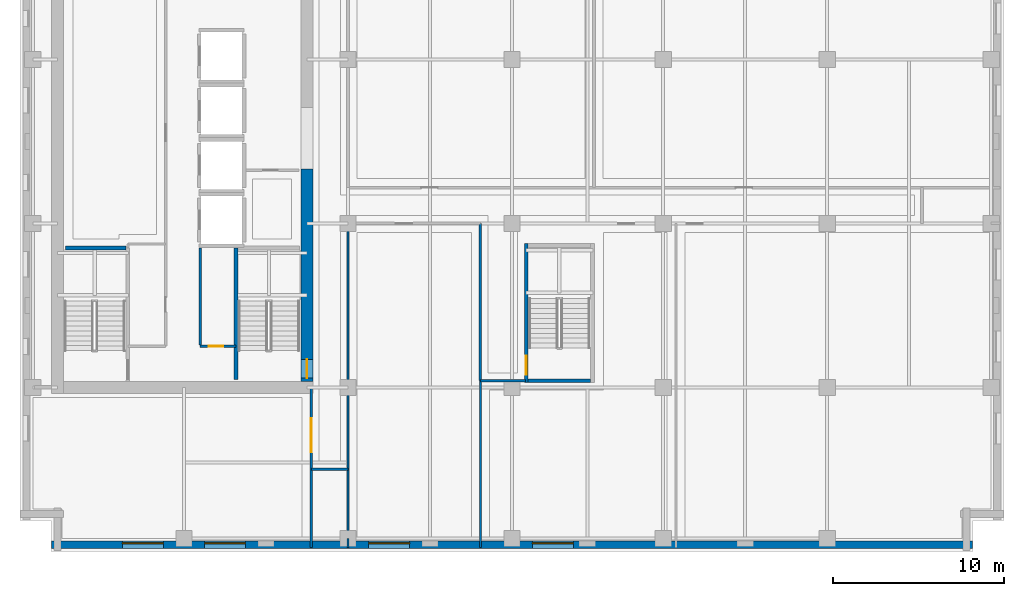
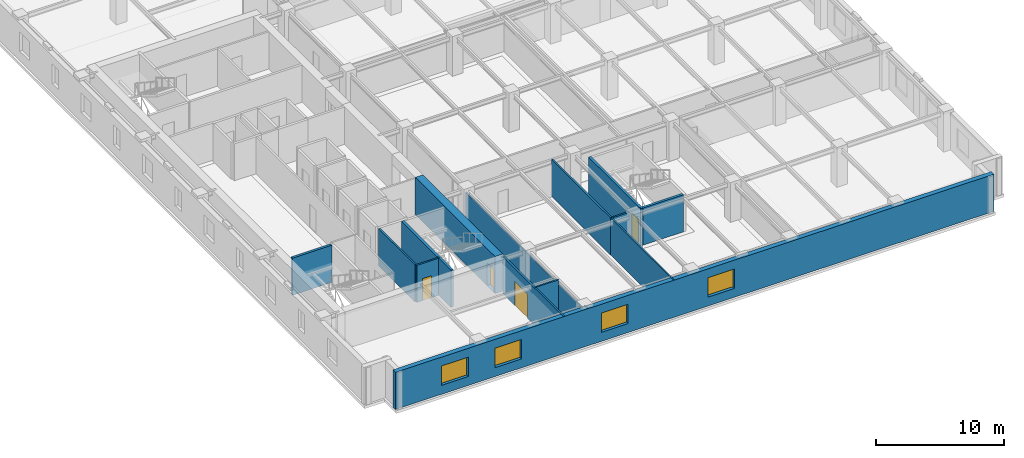
# One storey, part 4 of 13: 15 walls, 4 doors, 4 windows, 8 openings.
"""IFC4 building model written with IfcOpenShell, lengths in metres."""

from ifc_helpers import new_model, si_unit, direction, frame, frame_2d, origin, place, context, subcontext, project, spatial, rectangle, extrude, material, layer, layer_set, type_object, element, fill, save


model = new_model("IFC4")

# Units and contexts
model_context = context("Model", 3, precision=1e-05, world=origin(), true_north=direction((0.0, 1.0)))
body_context = subcontext(model_context, "Body", "Model", "MODEL_VIEW")
ifc_project = project(units=[si_unit("LENGTHUNIT", "METRE"), si_unit("AREAUNIT", "SQUARE_METRE"), si_unit("VOLUMEUNIT", "CUBIC_METRE"), si_unit("PLANEANGLEUNIT", "RADIAN"), si_unit("MASSUNIT", "GRAM", prefix="KILO")], contexts=[model_context])

# Site, building, storey
site_placement = place(None, origin())
site = spatial("IfcSite", under=ifc_project, at=site_placement, CompositionType="ELEMENT")
building_placement = place(site_placement, origin())
building = spatial("IfcBuilding", under=site, at=building_placement, Name="Norrvale University Quadrangle", CompositionType="ELEMENT")
storey_placement = place(building_placement, frame((0.0, 0.0, 163.60009765625)))
storey = spatial("IfcBuildingStorey", under=building, at=storey_placement, Name="L41", CompositionType="ELEMENT", Elevation=163.60009765625)

# Wall, openings, windows
ifc_material_1 = material(Name="Buff Norman Clay Brick Masonry", Category="masonry")
ifc_layer_1 = layer(ifc_material_1, 0.419921875, Name="Buff Norman Clay Brick Masonry")
ifc_layer_set_1 = layer_set([ifc_layer_1], Name="Buff Norman Clay Brick Masonry")
wall_type_1 = type_object("IfcWallType", Name="Wall Buff Brick 420", PredefinedType="SOLIDWALL", material=ifc_layer_set_1)
wall_1_placement = place(storey_placement, frame((1.840087890625, 0.389892578125, 0.0), z_axis=(0.0, 0.0, 1.0), x_axis=(1.0, 0.0, 0.0)))
wall_1 = element("IfcWall", 1, at=wall_1_placement, inside=storey, type_object=wall_type_1, Name="Exterior Brick Facade Wall L41-01.1", PredefinedType="SOLIDWALL", context=body_context, shape_type="SweptSolid", body=[
    extrude(rectangle(XDim=53.919921875, YDim=0.419921875, at=frame_2d((26.9599609375, 0.0))), origin(), (0.0, 0.0, 1.0), 3.539794921875),
])
opening_1_placement = place(wall_1_placement, frame((4.159912109375, 0.0, 0.85009765625)))
opening_1 = element("IfcOpeningElement", 2, at=opening_1_placement, cuts=wall_1, Name="Opening W02", PredefinedType="OPENING", context=body_context, shape_type="SweptSolid", body=[
    extrude(rectangle(XDim=2.39990234375, YDim=1.85009765625, at=frame_2d((1.199951171875, 0.925048828125))), frame((0.0, 0.221923828125, 0.0), z_axis=(0.0, -1.0, 0.0), x_axis=(1.0, 0.0, 0.0)), (0.0, 0.0, 1.0), 0.44384765625),
])
opening_2_placement = place(wall_1_placement, frame((8.9599609375, 0.0, 0.85009765625)))
opening_2 = element("IfcOpeningElement", 3, at=opening_2_placement, cuts=wall_1, Name="Opening W02", PredefinedType="OPENING", context=body_context, shape_type="SweptSolid", body=[
    extrude(rectangle(XDim=2.39990234375, YDim=1.85009765625, at=frame_2d((1.199951171875, 0.925048828125))), frame((0.0, 0.221923828125, 0.0), z_axis=(0.0, -1.0, 0.0), x_axis=(1.0, 0.0, 0.0)), (0.0, 0.0, 1.0), 0.44384765625),
])
opening_3_placement = place(wall_1_placement, frame((18.56005859375, 0.0, 0.85009765625)))
opening_3 = element("IfcOpeningElement", 4, at=opening_3_placement, cuts=wall_1, Name="Opening W02", PredefinedType="OPENING", context=body_context, shape_type="SweptSolid", body=[
    extrude(rectangle(XDim=2.39990234375, YDim=1.85009765625, at=frame_2d((1.199951171875, 0.925048828125))), frame((0.0, 0.221923828125, 0.0), z_axis=(0.0, -1.0, 0.0), x_axis=(1.0, 0.0, 0.0)), (0.0, 0.0, 1.0), 0.44384765625),
])
opening_4_placement = place(wall_1_placement, frame((28.159912109375, 0.0, 0.85009765625)))
opening_4 = element("IfcOpeningElement", 5, at=opening_4_placement, cuts=wall_1, Name="Opening W02", PredefinedType="OPENING", context=body_context, shape_type="SweptSolid", body=[
    extrude(rectangle(XDim=2.39990234375, YDim=1.85009765625, at=frame_2d((1.199951171875, 0.925048828125))), frame((0.0, 0.221923828125, 0.0), z_axis=(0.0, -1.0, 0.0), x_axis=(1.0, 0.0, 0.0)), (0.0, 0.0, 1.0), 0.44384765625),
])
ifc_material_2 = material(Name="Triple Low-E Argon Glazing", Category="glass")
window_type = type_object("IfcWindowType", Name="Window Academic 2400x2300", PartitioningType="TRIPLE_PANEL_VERTICAL", PredefinedType="WINDOW", material=ifc_material_2)
window_1_placement = place(opening_1_placement, origin())
window_1 = element("IfcWindow", 6, at=window_1_placement, inside=storey, type_object=window_type, Name="Window Academic 2400x2300 WIN-L41-E01-1-01", OverallHeight=1.85009765625, OverallWidth=2.39990234375, PartitioningType="TRIPLE_PANEL_VERTICAL", PredefinedType="WINDOW", context=body_context, shape_type="SweptSolid", body=[
    extrude(rectangle(XDim=2.39990234375, YDim=1.85009765625, at=frame_2d((1.199951171875, 0.925048828125))), frame((0.0, 0.110107421875, 0.0), z_axis=(0.0, -1.0, 0.0), x_axis=(1.0, 0.0, 0.0)), (0.0, 0.0, 1.0), 0.06005859375),
])
fill(opening_1, window_1)
window_2_placement = place(opening_2_placement, origin())
window_2 = element("IfcWindow", 7, at=window_2_placement, inside=storey, type_object=window_type, Name="Window Academic 2400x2300 WIN-L41-E01-1-02", OverallHeight=1.85009765625, OverallWidth=2.39990234375, PartitioningType="TRIPLE_PANEL_VERTICAL", PredefinedType="WINDOW", context=body_context, shape_type="SweptSolid", body=[
    extrude(rectangle(XDim=2.39990234375, YDim=1.85009765625, at=frame_2d((1.199951171875, 0.925048828125))), frame((0.0, 0.110107421875, 0.0), z_axis=(0.0, -1.0, 0.0), x_axis=(1.0, 0.0, 0.0)), (0.0, 0.0, 1.0), 0.06005859375),
])
fill(opening_2, window_2)
window_3_placement = place(opening_3_placement, origin())
window_3 = element("IfcWindow", 8, at=window_3_placement, inside=storey, type_object=window_type, Name="Window Academic 2400x2300 WIN-L41-E01-1-03", OverallHeight=1.85009765625, OverallWidth=2.39990234375, PartitioningType="TRIPLE_PANEL_VERTICAL", PredefinedType="WINDOW", context=body_context, shape_type="SweptSolid", body=[
    extrude(rectangle(XDim=2.39990234375, YDim=1.85009765625, at=frame_2d((1.199951171875, 0.925048828125))), frame((0.0, 0.110107421875, 0.0), z_axis=(0.0, -1.0, 0.0), x_axis=(1.0, 0.0, 0.0)), (0.0, 0.0, 1.0), 0.06005859375),
])
fill(opening_3, window_3)
window_4_placement = place(opening_4_placement, origin())
window_4 = element("IfcWindow", 9, at=window_4_placement, inside=storey, type_object=window_type, Name="Window Academic 2400x2300 WIN-L41-E01-1-04", OverallHeight=1.85009765625, OverallWidth=2.39990234375, PartitioningType="TRIPLE_PANEL_VERTICAL", PredefinedType="WINDOW", context=body_context, shape_type="SweptSolid", body=[
    extrude(rectangle(XDim=2.39990234375, YDim=1.85009765625, at=frame_2d((1.199951171875, 0.925048828125))), frame((0.0, 0.110107421875, 0.0), z_axis=(0.0, -1.0, 0.0), x_axis=(1.0, 0.0, 0.0)), (0.0, 0.0, 1.0), 0.06005859375),
])
fill(opening_4, window_4)

# Wall, opening, door
ifc_material_3 = material(Name="Concrete C60/75", Category="concrete")
ifc_layer_2 = layer(ifc_material_3, 0.699951171875, Name="Concrete C60/75")
ifc_layer_set_2 = layer_set([ifc_layer_2], Name="Concrete C60/75")
wall_type_2 = type_object("IfcWallType", Name="Wall Core 700", PredefinedType="SHEAR", material=ifc_layer_set_2)
wall_2_placement = place(storey_placement, frame((16.800048828125, 9.949951171875, 0.0), z_axis=(0.0, 0.0, 1.0), x_axis=(0.0, 1.0, 0.0)))
wall_2 = element("IfcWall", 10, at=wall_2_placement, inside=storey, type_object=wall_type_2, Name="Tower Core Shear Wall L41-E1", PredefinedType="SHEAR", context=body_context, shape_type="SweptSolid", body=[
    extrude(rectangle(XDim=12.449951171875, YDim=0.699951171875, at=frame_2d((6.22509765625, 0.0))), origin(), (0.0, 0.0, 1.0), 3.539794921875),
])
opening_5_placement = place(wall_2_placement, frame((0.18994140625, 0.0, 0.0)))
opening_5 = element("IfcOpeningElement", 11, at=opening_5_placement, cuts=wall_2, Name="Opening D02", PredefinedType="OPENING", context=body_context, shape_type="SweptSolid", body=[
    extrude(rectangle(XDim=1.10009765625, YDim=2.199951171875, at=frame_2d((0.550048828125, 1.10009765625))), frame((0.0, 0.362060546875, 0.0), z_axis=(0.0, -1.0, 0.0), x_axis=(1.0, 0.0, 0.0)), (0.0, 0.0, 1.0), 0.723876953125),
])
ifc_material_4 = material(Name="Hollow Steel 350W Fire Door", Category="steel")
door_type_1 = type_object("IfcDoorType", Name="Door Stair Exit 1100x2200", OperationType="NOTDEFINED", PredefinedType="DOOR", material=ifc_material_4)
door_1_placement = place(opening_5_placement, origin())
door_1 = element("IfcDoor", 12, at=door_1_placement, inside=storey, type_object=door_type_1, Name="Door Stair Exit 1100x2200 DR-L41-ST03", OperationType="SINGLE_SWING_LEFT", OverallHeight=2.199951171875, OverallWidth=1.10009765625, PredefinedType="DOOR", context=body_context, shape_type="SweptSolid", body=[
    extrude(rectangle(XDim=1.10009765625, YDim=2.199951171875, at=frame_2d((0.550048828125, 1.10009765625))), frame((0.0, 0.02490234375, 0.0), z_axis=(0.0, -1.0, 0.0), x_axis=(1.0, 0.0, 0.0)), (0.0, 0.0, 1.0), 0.050048828125),
])
fill(opening_5, door_1)

# Walls
ifc_material_5 = material(Name="Standard Academic Gypsum Partition")
ifc_layer_3 = layer(ifc_material_5, 0.125, Name="Standard Academic Gypsum Partition")
ifc_layer_set_3 = layer_set([ifc_layer_3], Name="Standard Academic Gypsum Partition")
wall_type_3 = type_object("IfcWallType", Name="Wall Gypsum Academic 125", PredefinedType="PARTITIONING", material=ifc_layer_set_3)
wall_3_placement = place(storey_placement, frame((19.199951171875, 0.219970703125, 0.0), z_axis=(0.0, 0.0, 1.0), x_axis=(0.0, 1.0, 0.0)))
element("IfcWall", 13, at=wall_3_placement, inside=storey, type_object=wall_type_3, Name="Interior Partition WL-L41-SE-W0", PredefinedType="PARTITIONING", context=body_context, shape_type="SweptSolid", body=[
    extrude(rectangle(XDim=0.530029296875, YDim=0.125, at=frame_2d((0.26513671875, 0.0))), origin(), (0.0, 0.0, 1.0), 3.539794921875),
])
wall_4_placement = place(storey_placement, frame((19.199951171875, 0.75, 0.0), z_axis=(0.0, 0.0, 1.0), x_axis=(0.0, 1.0, 0.0)))
element("IfcWall", 14, at=wall_4_placement, inside=storey, type_object=wall_type_3, Name="Interior Partition WL-L41-SE-W0-B2", PredefinedType="PARTITIONING", context=body_context, shape_type="SweptSolid", body=[
    extrude(rectangle(XDim=18.449951171875, YDim=0.125, at=frame_2d((9.22509765625, 0.0))), origin(), (0.0, 0.0, 1.0), 3.122802734375),
])
wall_5_placement = place(storey_placement, frame((26.949951171875, 0.219970703125, 0.0), z_axis=(0.0, 0.0, 1.0), x_axis=(0.0, 1.0, 0.0)))
element("IfcWall", 15, at=wall_5_placement, inside=storey, type_object=wall_type_3, Name="Interior Partition WL-L41-SEP1A", PredefinedType="PARTITIONING", context=body_context, shape_type="SweptSolid", body=[
    extrude(rectangle(XDim=9.780029296875, YDim=0.125, at=frame_2d((4.89013671875, 0.0))), origin(), (0.0, 0.0, 1.0), 3.539794921875),
])

# Wall, opening, door
ifc_material_6 = material(Name="Fire-Rated Gypsum Stud Partition")
ifc_layer_4 = layer(ifc_material_6, 0.14990234375, Name="Fire-Rated Gypsum Stud Partition")
ifc_layer_set_4 = layer_set([ifc_layer_4], Name="Fire-Rated Gypsum Stud Partition")
wall_type_4 = type_object("IfcWallType", Name="Wall Gypsum Corridor 150", PredefinedType="PARTITIONING", material=ifc_layer_set_4)
wall_6_placement = place(storey_placement, frame((10.550048828125, 12.02001953125, 0.0), z_axis=(0.0, 0.0, 1.0), x_axis=(1.0, 0.0, 0.0)))
wall_6 = element("IfcWall", 16, at=wall_6_placement, inside=storey, type_object=wall_type_4, Name="Interior Partition WL-L41-SC-NR", PredefinedType="PARTITIONING", context=body_context, shape_type="SweptSolid", body=[
    extrude(rectangle(XDim=2.079833984375, YDim=0.14990234375, at=frame_2d((1.0400390625, 0.0))), origin(), (0.0, 0.0, 1.0), 3.539794921875),
])
opening_6_placement = place(wall_6_placement, frame((0.5, 0.0, 0.0)))
opening_6 = element("IfcOpeningElement", 17, at=opening_6_placement, cuts=wall_6, Name="Opening D10", PredefinedType="OPENING", context=body_context, shape_type="SweptSolid", body=[
    extrude(rectangle(XDim=0.85009765625, YDim=2.10009765625, at=frame_2d((0.425048828125, 1.050048828125))), frame((0.0, 0.0869140625, 0.0), z_axis=(0.0, -1.0, 0.0), x_axis=(1.0, 0.0, 0.0)), (0.0, 0.0, 1.0), 0.173828125),
])
ifc_material_7 = material(Name="Hollow Steel 350W Riser Fire Door", Category="steel")
door_type_2 = type_object("IfcDoorType", Name="Door Riser 850x2100", OperationType="NOTDEFINED", PredefinedType="DOOR", material=ifc_material_7)
door_2_placement = place(opening_6_placement, origin())
door_2 = element("IfcDoor", 18, at=door_2_placement, inside=storey, type_object=door_type_2, Name="Door Riser 850x2100 DR-L41-IDF", OperationType="SINGLE_SWING_RIGHT", OverallHeight=2.10009765625, OverallWidth=0.85009765625, PredefinedType="DOOR", context=body_context, shape_type="SweptSolid", body=[
    extrude(rectangle(XDim=0.85009765625, YDim=2.10009765625, at=frame_2d((0.425048828125, 1.050048828125))), frame((0.0, 0.02490234375, 0.0), z_axis=(0.0, -1.0, 0.0), x_axis=(1.0, 0.0, 0.0)), (0.0, 0.0, 1.0), 0.050048828125),
])
fill(opening_6, door_2)

# Walls
wall_7_placement = place(storey_placement, frame((10.550048828125, 12.094970703125, 0.0), z_axis=(0.0, 0.0, 1.0), x_axis=(0.0, 1.0, 0.0)))
element("IfcWall", 19, at=wall_7_placement, inside=storey, type_object=wall_type_4, Name="Interior Partition WL-L41-SC-WR", PredefinedType="PARTITIONING", context=body_context, shape_type="SweptSolid", body=[
    extrude(rectangle(XDim=5.679931640625, YDim=0.14990234375, at=frame_2d((2.83984375, 0.0))), origin(), (0.0, 0.0, 1.0), 3.539794921875),
])
wall_8_placement = place(storey_placement, frame((17.050048828125, 4.800048828125, 0.0), z_axis=(0.0, 0.0, 1.0), x_axis=(1.0, 0.0, 0.0)))
element("IfcWall", 20, at=wall_8_placement, inside=storey, type_object=wall_type_4, Name="Interior Partition WL-L41-CSP-S", PredefinedType="PARTITIONING", context=body_context, shape_type="SweptSolid", body=[
    extrude(rectangle(XDim=2.14990234375, YDim=0.14990234375, at=frame_2d((1.074951171875, 0.0))), origin(), (0.0, 0.0, 1.0), 3.539794921875),
])

# Wall, opening, door
wall_9_placement = place(storey_placement, frame((17.050048828125, 0.219970703125, 0.0), z_axis=(0.0, 0.0, 1.0), x_axis=(0.0, 1.0, 0.0)))
wall_9 = element("IfcWall", 21, at=wall_9_placement, inside=storey, type_object=wall_type_4, Name="Interior Partition WL-L41-SW-E", PredefinedType="PARTITIONING", context=body_context, shape_type="SweptSolid", body=[
    extrude(rectangle(XDim=9.380126953125, YDim=0.14990234375, at=frame_2d((4.68994140625, 0.0))), origin(), (0.0, 0.0, 1.0), 3.539794921875),
])
opening_7_placement = place(wall_9_placement, frame((5.580078125, 0.0, 0.0)))
opening_7 = element("IfcOpeningElement", 22, at=opening_7_placement, cuts=wall_9, Name="Opening D06", PredefinedType="OPENING", context=body_context, shape_type="SweptSolid", body=[
    extrude(rectangle(XDim=2.0, YDim=2.300048828125, at=frame_2d((1.0, 1.14990234375))), frame((0.0, 0.0869140625, 0.0), z_axis=(0.0, -1.0, 0.0), x_axis=(1.0, 0.0, 0.0)), (0.0, 0.0, 1.0), 0.173828125),
])
ifc_material_8 = material(Name="Acoustic Oak Double Door", Category="wood")
door_type_3 = type_object("IfcDoorType", Name="Door Lecture Dbl 2000x2300", OperationType="DOUBLE_SWING_LEFT", PredefinedType="DOOR", material=ifc_material_8)
door_3_placement = place(opening_7_placement, origin())
door_3 = element("IfcDoor", 23, at=door_3_placement, inside=storey, type_object=door_type_3, Name="Door Lecture Dbl 2000x2300 DR-L41-SW1", OperationType="DOUBLE_SWING_LEFT", OverallHeight=2.300048828125, OverallWidth=2.0, PredefinedType="DOOR", context=body_context, shape_type="SweptSolid", body=[
    extrude(rectangle(XDim=2.0, YDim=2.300048828125, at=frame_2d((1.0, 1.14990234375))), frame((0.0, 0.02490234375, 0.0), z_axis=(0.0, -1.0, 0.0), x_axis=(1.0, 0.0, 0.0)), (0.0, 0.0, 1.0), 0.050048828125),
])
fill(opening_7, door_3)

# Walls
wall_10_placement = place(storey_placement, frame((26.949951171875, 10.0, 0.0), z_axis=(0.0, 0.0, 1.0), x_axis=(0.0, 1.0, 0.0)))
element("IfcWall", 24, at=wall_10_placement, inside=storey, type_object=wall_type_4, Name="Interior Partition WL-L41-SEP1B", PredefinedType="PARTITIONING", context=body_context, shape_type="SweptSolid", body=[
    extrude(rectangle(XDim=9.199951171875, YDim=0.14990234375, at=frame_2d((4.60009765625, 0.0))), origin(), (0.0, 0.0, 1.0), 3.539794921875),
])
wall_11_placement = place(storey_placement, frame((26.949951171875, 10.0, 0.0), z_axis=(0.0, 0.0, 1.0), x_axis=(1.0, 0.0, 0.0)))
element("IfcWall", 25, at=wall_11_placement, inside=storey, type_object=wall_type_4, Name="Interior Partition WL-L41-SEP1C", PredefinedType="PARTITIONING", context=body_context, shape_type="SweptSolid", body=[
    extrude(rectangle(XDim=2.630126953125, YDim=0.14990234375, at=frame_2d((1.31494140625, 0.0))), origin(), (0.0, 0.0, 1.0), 3.539794921875),
])
ifc_material_9 = material(Name="Concrete Blockwork 20 MPa Fire Shaft", Category="masonry")
ifc_layer_5 = layer(ifc_material_9, 0.219970703125, Name="Concrete Blockwork 20 MPa Fire Shaft")
ifc_layer_set_5 = layer_set([ifc_layer_5], Name="Concrete Blockwork 20 MPa Fire Shaft")
wall_type_5 = type_object("IfcWallType", Name="Wall Shaft 220", PredefinedType="SOLIDWALL", material=ifc_layer_set_5)
wall_12_placement = place(storey_placement, frame((2.64990234375, 17.760009765625, 0.0), z_axis=(0.0, 0.0, 1.0), x_axis=(1.0, 0.0, 0.0)))
element("IfcWall", 26, at=wall_12_placement, inside=storey, type_object=wall_type_5, Name="Stair ST-01 North Shaft Wall L41", PredefinedType="SOLIDWALL", context=body_context, shape_type="SweptSolid", body=[
    extrude(rectangle(XDim=3.550048828125, YDim=0.219970703125, at=frame_2d((1.77490234375, 0.0))), origin(), (0.0, 0.0, 1.0), 3.539794921875),
])
wall_13_placement = place(storey_placement, frame((12.639892578125, 10.050048828125, 0.0), z_axis=(0.0, 0.0, 1.0), x_axis=(0.0, 1.0, 0.0)))
element("IfcWall", 27, at=wall_13_placement, inside=storey, type_object=wall_type_5, Name="Stair ST-03 West Shaft Wall L41", PredefinedType="SOLIDWALL", context=body_context, shape_type="SweptSolid", body=[
    extrude(rectangle(XDim=7.7099609375, YDim=0.219970703125, at=frame_2d((3.85498046875, 0.0))), origin(), (0.0, 0.0, 1.0), 3.539794921875),
])
wall_14_placement = place(storey_placement, frame((29.75, 9.989990234375, 0.0), z_axis=(0.0, 0.0, 1.0), x_axis=(1.0, 0.0, 0.0)))
element("IfcWall", 28, at=wall_14_placement, inside=storey, type_object=wall_type_5, Name="Stair ST-04 South Shaft Wall L41", PredefinedType="SOLIDWALL", context=body_context, shape_type="SweptSolid", body=[
    extrude(rectangle(XDim=3.64990234375, YDim=0.219970703125, at=frame_2d((1.824951171875, 0.0))), origin(), (0.0, 0.0, 1.0), 3.539794921875),
])

# Wall, opening, door
wall_15_placement = place(storey_placement, frame((29.639892578125, 9.8798828125, 0.0), z_axis=(0.0, 0.0, 1.0), x_axis=(0.0, 1.0, 0.0)))
wall_15 = element("IfcWall", 29, at=wall_15_placement, inside=storey, type_object=wall_type_5, Name="Stair ST-04 West Shaft Wall L41", PredefinedType="SOLIDWALL", context=body_context, shape_type="SweptSolid", body=[
    extrude(rectangle(XDim=8.14013671875, YDim=0.219970703125, at=frame_2d((4.070068359375, 0.0))), origin(), (0.0, 0.0, 1.0), 3.539794921875),
])
opening_8_placement = place(wall_15_placement, frame((0.469970703125, 0.0, 0.0)))
opening_8 = element("IfcOpeningElement", 30, at=opening_8_placement, cuts=wall_15, Name="Opening D02", PredefinedType="OPENING", context=body_context, shape_type="SweptSolid", body=[
    extrude(rectangle(XDim=1.10009765625, YDim=2.199951171875, at=frame_2d((0.550048828125, 1.10009765625))), frame((0.0, 0.1220703125, 0.0), z_axis=(0.0, -1.0, 0.0), x_axis=(1.0, 0.0, 0.0)), (0.0, 0.0, 1.0), 0.243896484375),
])
door_4_placement = place(opening_8_placement, frame((1.10009765625, 0.0, 0.0), z_axis=(0.0, 0.0, 1.0), x_axis=(-1.0, 0.0, 0.0)))
door_4 = element("IfcDoor", 31, at=door_4_placement, inside=storey, type_object=door_type_1, Name="Door Stair Exit 1100x2200 DR-L41-ST04", OperationType="SINGLE_SWING_RIGHT", OverallHeight=2.199951171875, OverallWidth=1.10009765625, PredefinedType="DOOR", context=body_context, shape_type="SweptSolid", body=[
    extrude(rectangle(XDim=1.10009765625, YDim=2.199951171875, at=frame_2d((0.550048828125, 1.10009765625))), frame((0.0, 0.02490234375, 0.0), z_axis=(0.0, -1.0, 0.0), x_axis=(1.0, 0.0, 0.0)), (0.0, 0.0, 1.0), 0.050048828125),
])
fill(opening_8, door_4)

save(model, "model.ifc")
